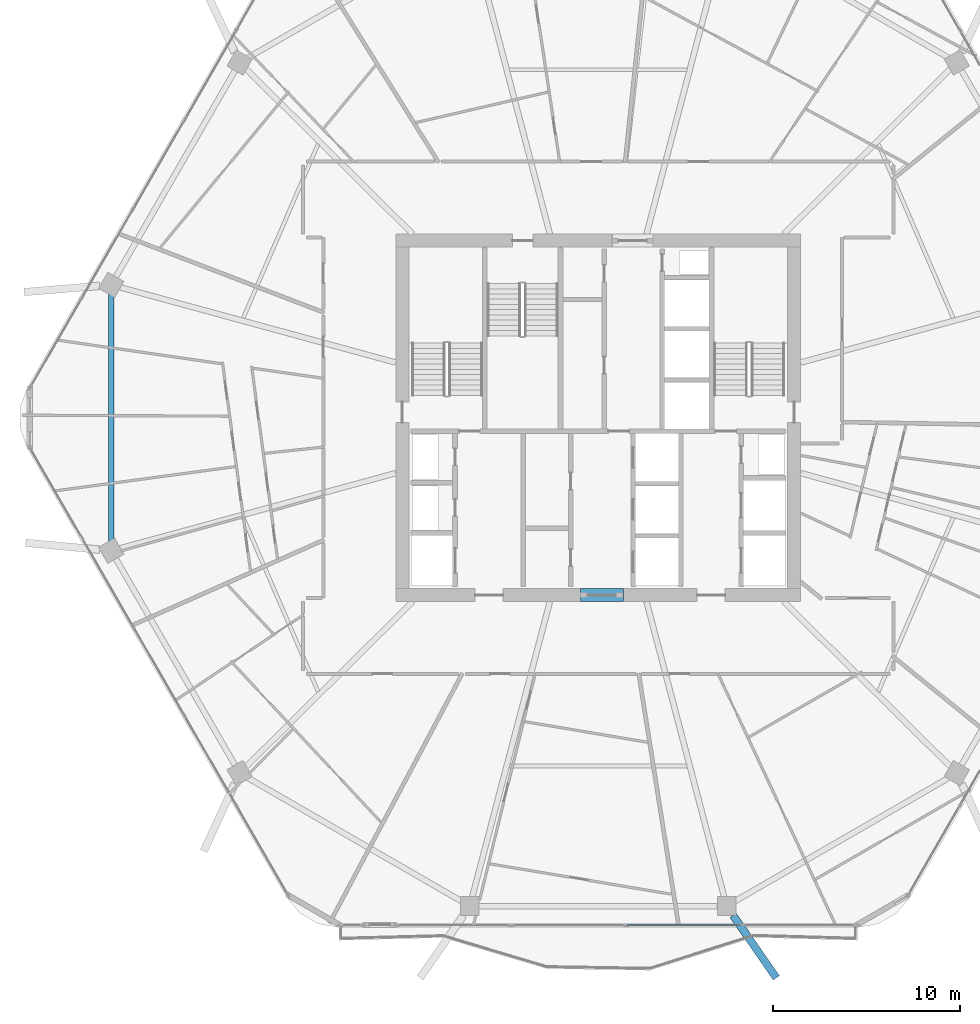
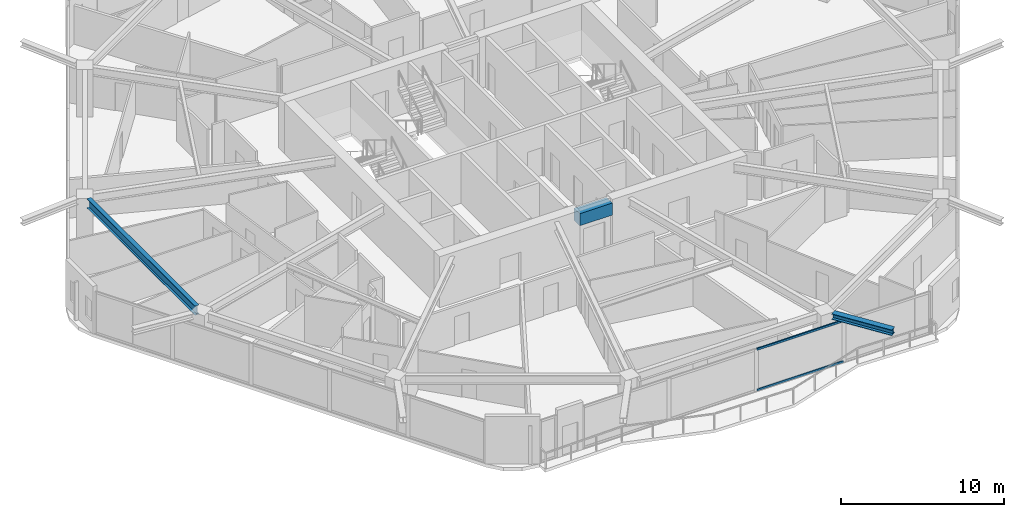
# One storey, part 6 of 27: 3 beams, 2 members, 1 element without a shape of its own.
"""IFC4 building model written with IfcOpenShell, lengths in metres."""

from ifc_helpers import new_model, si_unit, direction, frame, origin, origin_2d, place, context, subcontext, project, spatial, rectangle, hollow_rectangle, i_section, extrude, material, material_profile, profile_set, type_object, element, aggregate, save


model = new_model("IFC4")

# Units and contexts
model_context = context("Model", 3, precision=1e-05, world=origin(), true_north=direction((0.0, 1.0)))
body_context = subcontext(model_context, "Body", "Model", "MODEL_VIEW")
ifc_project = project(units=[si_unit("LENGTHUNIT", "METRE"), si_unit("AREAUNIT", "SQUARE_METRE"), si_unit("VOLUMEUNIT", "CUBIC_METRE"), si_unit("PLANEANGLEUNIT", "RADIAN"), si_unit("MASSUNIT", "GRAM", prefix="KILO")], contexts=[model_context])

# Site, building, storey
site_placement = place(None, origin())
site = spatial("IfcSite", under=ifc_project, at=site_placement, CompositionType="ELEMENT")
building_placement = place(site_placement, origin())
building = spatial("IfcBuilding", under=site, at=building_placement, Name="Zuhravey Tower", CompositionType="ELEMENT")
storey_placement = place(building_placement, frame((0.0, 0.0, 173.199951171875)))
storey = spatial("IfcBuildingStorey", under=building, at=storey_placement, Name="L43", CompositionType="ELEMENT", Elevation=173.199951171875)

# Beam
ifc_material_1 = material(Name="Concrete C60/75", Category="concrete")
ifc_material_profile_1 = material_profile(ifc_material_1, rectangle(XDim=0.699951171875, YDim=0.89990234375, at=origin_2d()), Name="RC-700x900")
ifc_profile_set_1 = profile_set([ifc_material_profile_1], Name="Concrete C60/75")
beam_type_1 = type_object("IfcBeamType", Name="Core Coupling Beam RC700x900", PredefinedType="LINTEL", material=ifc_profile_set_1)
beam_1_placement = place(storey_placement, frame((35.052001953125, 22.5, 3.10009765625), z_axis=(1.0, 0.0, 0.0), x_axis=(0.0, 1.0, 0.0)))
element("IfcBeam", 1, at=beam_1_placement, inside=storey, type_object=beam_type_1, Name="L43 CB1 BM-L43-CB-S", PredefinedType="LINTEL", context=body_context, shape_type="SweptSolid", body=[
    extrude(rectangle(XDim=0.699951171875, YDim=0.89990234375, at=origin_2d()), origin(), (0.0, 0.0, 1.0), 2.2958984375),
])

# Curtain wall, members
ifc_material_2 = material(Name="Thermally broken anodised aluminium", Category="aluminium")
curtain_wall_type = type_object("IfcCurtainWallType", Name="Zone 1-2 Residential Curtain Wall CW3", PredefinedType="NOTDEFINED", material=ifc_material_2)
curtain_wall_placement = place(storey_placement, origin())
curtain_wall = element("IfcCurtainWall", 2, at=curtain_wall_placement, inside=storey, type_object=curtain_wall_type, Name="L43 CW3 CW-L43-F5-1", PredefinedType="NOTDEFINED")
ifc_material_3 = material(Name="Anodised aluminium", Category="aluminium")
ifc_material_profile_2 = material_profile(ifc_material_3, hollow_rectangle(XDim=0.090087890625, YDim=0.14990234375, WallThickness=0.0048828125, at=origin_2d()), Name="ALU-RHS-90x150x5")
ifc_profile_set_2 = profile_set([ifc_material_profile_2], Name="Anodised aluminium")
member_type = type_object("IfcMemberType", Name="Curtain-Wall Transom 90x150", PredefinedType="USERDEFINED", material=ifc_profile_set_2)
member_1_placement = place(storey_placement, frame((43.637939453125, 4.81689453125, 0.045166015625), z_axis=(-1.0, 0.0, 0.0), x_axis=(0.0, -1.0, 0.0)))
member_1 = element("IfcMember", 3, at=member_1_placement, type_object=member_type, Name="CW3 transom 2.1", ObjectType="TRANSOM", PredefinedType="USERDEFINED", context=body_context, shape_type="SweptSolid", body=[
    extrude(hollow_rectangle(XDim=0.090087890625, YDim=0.14990234375, WallThickness=0.0048828125, at=origin_2d()), origin(), (0.0, 0.0, 1.0), 6.08837890625),
])
member_2_placement = place(storey_placement, frame((43.637939453125, 4.81689453125, 3.0771484375), z_axis=(-1.0, 0.0, 0.0), x_axis=(0.0, -1.0, 0.0)))
member_2 = element("IfcMember", 4, at=member_2_placement, type_object=member_type, Name="CW3 transom 2.2", ObjectType="TRANSOM", PredefinedType="USERDEFINED", context=body_context, shape_type="SweptSolid", body=[
    extrude(hollow_rectangle(XDim=0.090087890625, YDim=0.14990234375, WallThickness=0.0048828125, at=origin_2d()), origin(), (0.0, 0.0, 1.0), 6.08837890625),
])
aggregate(curtain_wall, [member_1, member_2])

# Beams
ifc_material_4 = material(Name="Steel SM460", Category="steel")
ifc_material_profile_3 = material_profile(ifc_material_4, i_section(OverallWidth=0.406982421875, OverallDepth=0.427978515625, WebThickness=0.02001953125, FlangeThickness=0.034912109375, at=origin_2d()), Name="H-428x407x20x35")
ifc_profile_set_3 = profile_set([ifc_material_profile_3], Name="Steel SM460")
beam_type_2 = type_object("IfcBeamType", Name="Exoskeleton Node Tie Beam H428x407", PredefinedType="BEAM", material=ifc_profile_set_3)
beam_2_placement = place(storey_placement, frame((43.23046875, 5.32373046875, 3.3359375), z_axis=(0.569294235709, -0.822133853572, 0.0), x_axis=(0.822133853572, 0.569294235709, 0.0)))
element("IfcBeam", 5, at=beam_2_placement, inside=storey, type_object=beam_type_2, Name="L43 Exoskeleton Node Tie NT1-10", PredefinedType="BEAM", context=body_context, shape_type="SweptSolid", body=[
    extrude(i_section(OverallWidth=0.406982421875, OverallDepth=0.427978515625, WebThickness=0.02001953125, FlangeThickness=0.034912109375, at=origin_2d()), origin(), (0.0, 0.0, 1.0), 4.068115234375),
])
ifc_material_5 = material(Name="Steel SM355", Category="steel")
ifc_material_profile_4 = material_profile(ifc_material_5, i_section(OverallWidth=0.300048828125, OverallDepth=0.679931640625, WebThickness=0.012939453125, FlangeThickness=0.02197265625, at=origin_2d()), Name="H-680x300x13x22")
ifc_profile_set_4 = profile_set([ifc_material_profile_4], Name="Steel SM355")
beam_type_3 = type_object("IfcBeamType", Name="Perimeter Ring Beam H680x300", PredefinedType="BEAM", material=ifc_profile_set_4)
beam_3_placement = place(storey_placement, frame((9.892333984375, 38.62353515625, 3.2099609375), z_axis=(0.0, -1.0, 0.0), x_axis=(1.0, 0.0, 0.0)))
element("IfcBeam", 6, at=beam_3_placement, inside=storey, type_object=beam_type_3, Name="L43 PB2 BM-L43-PB-06", PredefinedType="BEAM", context=body_context, shape_type="SweptSolid", body=[
    extrude(i_section(OverallWidth=0.300048828125, OverallDepth=0.679931640625, WebThickness=0.012939453125, FlangeThickness=0.02197265625, at=origin_2d()), origin(), (0.0, 0.0, 1.0), 13.2470703125),
])

save(model, "model.ifc")
